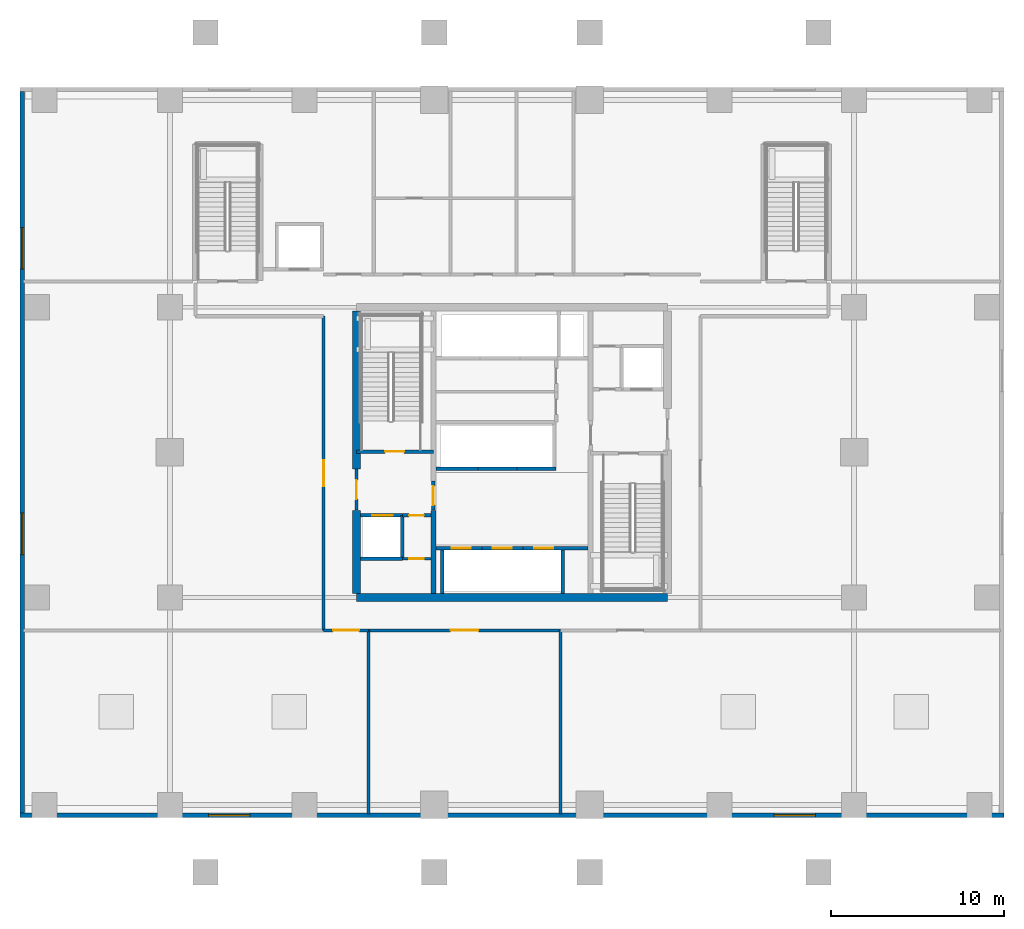
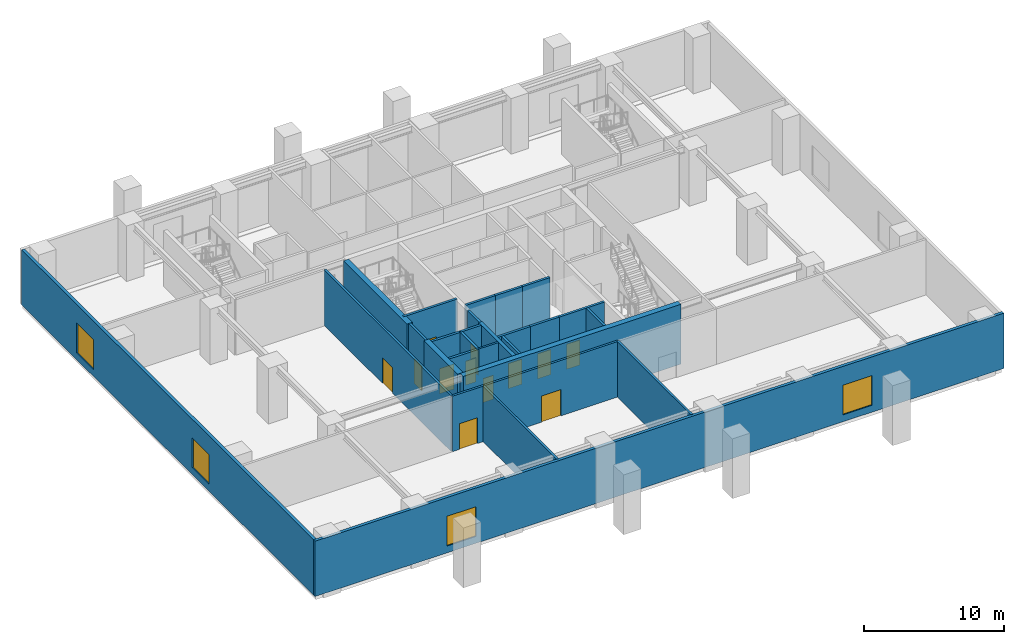
# One storey, part 2 of 12: 27 walls, 12 doors, 4 windows, 16 openings.
"""IFC4 building model written with IfcOpenShell, lengths in metres."""

from ifc_helpers import new_model, si_unit, direction, frame, frame_2d, origin, place, context, subcontext, project, spatial, rectangle, extrude, source, transform, mapped, material, layer, layer_set, type_object, element, fill, save


model = new_model("IFC4")

# Units and contexts
model_context = context("Model", 3, precision=1e-05, world=origin(), true_north=direction((0.0, 1.0)))
body_context = subcontext(model_context, "Body", "Model", "MODEL_VIEW")
ifc_project = project(units=[si_unit("LENGTHUNIT", "METRE"), si_unit("AREAUNIT", "SQUARE_METRE"), si_unit("VOLUMEUNIT", "CUBIC_METRE"), si_unit("PLANEANGLEUNIT", "RADIAN"), si_unit("MASSUNIT", "GRAM", prefix="KILO")], contexts=[model_context])

# Site, building, storey
site_placement = place(None, origin())
site = spatial("IfcSite", under=ifc_project, at=site_placement, CompositionType="ELEMENT")
building_placement = place(site_placement, origin())
building = spatial("IfcBuilding", under=site, at=building_placement, Name="Serunith Strait Residences", CompositionType="ELEMENT")
storey_placement = place(building_placement, frame((0.0, 0.0, 15.300048828125)))
storey = spatial("IfcBuildingStorey", under=building, at=storey_placement, Name="L03", CompositionType="ELEMENT", Elevation=15.300048828125)

# Wall, openings, windows
ifc_material_1 = material(Name="Pale-Silver Aluminium Terracotta-Backed Wall", Category="masonry")
ifc_layer_1 = layer(ifc_material_1, 0.25, Name="Pale-Silver Aluminium Terracotta-Backed Wall")
ifc_layer_set_1 = layer_set([ifc_layer_1], Name="Pale-Silver Aluminium Terracotta-Backed Wall")
wall_type_1 = type_object("IfcWallType", Name="EW-POD-250", PredefinedType="ELEMENTEDWALL", material=ifc_layer_set_1)
wall_1_placement = place(storey_placement, frame((3.925048828125, 4.199951171875, 0.0), z_axis=(0.0, 0.0, 1.0), x_axis=(1.0, 0.0, 0.0)))
wall_1 = element("IfcWall", 1, at=wall_1_placement, inside=storey, type_object=wall_type_1, Name="L03 Podium Envelope Wall 1", PredefinedType="ELEMENTEDWALL", context=body_context, shape_type="SweptSolid", body=[
    extrude(rectangle(XDim=56.949951171875, YDim=0.25, at=frame_2d((28.47509765625, 0.0))), origin(), (0.0, 0.0, 1.0), 4.8349609375),
])
opening_1_placement = place(wall_1_placement, frame((10.909912109375, 0.0, 0.60009765625)))
opening_1 = element("IfcOpeningElement", 2, at=opening_1_placement, cuts=wall_1, Name="Opening W-08", PredefinedType="OPENING", context=body_context, shape_type="SweptSolid", body=[
    extrude(rectangle(XDim=2.39990234375, YDim=2.60009765625, at=frame_2d((1.199951171875, 1.300048828125))), frame((0.0, 0.135009765625, 0.0), z_axis=(0.0, -1.0, 0.0), x_axis=(1.0, 0.0, 0.0)), (0.0, 0.0, 1.0), 0.27001953125),
])
opening_2_placement = place(wall_1_placement, frame((43.639892578125, 0.0, 0.60009765625)))
opening_2 = element("IfcOpeningElement", 3, at=opening_2_placement, cuts=wall_1, Name="Opening W-08", PredefinedType="OPENING", context=body_context, shape_type="SweptSolid", body=[
    extrude(rectangle(XDim=2.39990234375, YDim=2.60009765625, at=frame_2d((1.199951171875, 1.300048828125))), frame((0.0, 0.135009765625, 0.0), z_axis=(0.0, -1.0, 0.0), x_axis=(1.0, 0.0, 0.0)), (0.0, 0.0, 1.0), 0.27001953125),
])
ifc_material_2 = material(Name="Podium Club Operable Window Glass", Category="glass")
window_type = type_object("IfcWindowType", Name="WIN-POD2", PartitioningType="DOUBLE_PANEL_VERTICAL", PredefinedType="WINDOW", material=ifc_material_2)
shared_shape_1 = source(origin(), body_context, "Body", "SweptSolid", [
    extrude(rectangle(XDim=2.39990234375, YDim=2.60009765625, at=frame_2d((1.199951171875, 1.300048828125))), frame((0.0, 0.030029296875, 0.0), z_axis=(0.0, -1.0, 0.0), x_axis=(1.0, 0.0, 0.0)), (0.0, 0.0, 1.0), 0.06005859375),
])
window_1_placement = place(opening_1_placement, origin())
window_1 = element("IfcWindow", 4, at=window_1_placement, inside=storey, type_object=window_type, Name="L03 Podium Window 1A", OverallHeight=2.60009765625, OverallWidth=2.39990234375, PartitioningType="SINGLE_PANEL", PredefinedType="WINDOW", context=body_context, shape_type="MappedRepresentation", body=[
    mapped(shared_shape_1, transform((0.0, 0.0, 0.0), scale=1.0)),
])
fill(opening_1, window_1)
window_2_placement = place(opening_2_placement, origin())
window_2 = element("IfcWindow", 5, at=window_2_placement, inside=storey, type_object=window_type, Name="L03 Podium Window 1B", OverallHeight=2.60009765625, OverallWidth=2.39990234375, PartitioningType="SINGLE_PANEL", PredefinedType="WINDOW", context=body_context, shape_type="MappedRepresentation", body=[
    mapped(shared_shape_1, transform((0.0, 0.0, 0.0), scale=1.0)),
])
fill(opening_2, window_2)

wall_2_placement = place(storey_placement, frame((4.050048828125, 46.074951171875, 0.0), z_axis=(0.0, 0.0, 1.0), x_axis=(0.0, -1.0, 0.0)))
wall_2 = element("IfcWall", 6, at=wall_2_placement, inside=storey, type_object=wall_type_1, Name="L03 Podium Envelope Wall 4", PredefinedType="ELEMENTEDWALL", context=body_context, shape_type="SweptSolid", body=[
    extrude(rectangle(XDim=41.75, YDim=0.25, at=frame_2d((20.875, 0.0))), origin(), (0.0, 0.0, 1.0), 4.8349609375),
])
opening_3_placement = place(wall_2_placement, frame((7.8701171875, 0.0, 0.60009765625)))
opening_3 = element("IfcOpeningElement", 7, at=opening_3_placement, cuts=wall_2, Name="Opening W-08", PredefinedType="OPENING", context=body_context, shape_type="SweptSolid", body=[
    extrude(rectangle(XDim=2.39990234375, YDim=2.60009765625, at=frame_2d((1.199951171875, 1.300048828125))), frame((0.0, 0.135009765625, 0.0), z_axis=(0.0, -1.0, 0.0), x_axis=(1.0, 0.0, 0.0)), (0.0, 0.0, 1.0), 0.27001953125),
])
opening_4_placement = place(wall_2_placement, frame((24.39697265625, 0.0, 0.60009765625)))
opening_4 = element("IfcOpeningElement", 8, at=opening_4_placement, cuts=wall_2, Name="Opening W-08", PredefinedType="OPENING", context=body_context, shape_type="SweptSolid", body=[
    extrude(rectangle(XDim=2.39990234375, YDim=2.60009765625, at=frame_2d((1.199951171875, 1.300048828125))), frame((0.0, 0.135009765625, 0.0), z_axis=(0.0, -1.0, 0.0), x_axis=(1.0, 0.0, 0.0)), (0.0, 0.0, 1.0), 0.27001953125),
])
window_3_placement = place(opening_3_placement, origin())
window_3 = element("IfcWindow", 9, at=window_3_placement, inside=storey, type_object=window_type, Name="L03 Podium Window 4A", OverallHeight=2.60009765625, OverallWidth=2.39990234375, PartitioningType="SINGLE_PANEL", PredefinedType="WINDOW", context=body_context, shape_type="MappedRepresentation", body=[
    mapped(shared_shape_1, transform((0.0, 0.0, 0.0), scale=1.0)),
])
fill(opening_3, window_3)
window_4_placement = place(opening_4_placement, origin())
window_4 = element("IfcWindow", 10, at=window_4_placement, inside=storey, type_object=window_type, Name="L03 Podium Window 4B", OverallHeight=2.60009765625, OverallWidth=2.39990234375, PartitioningType="SINGLE_PANEL", PredefinedType="WINDOW", context=body_context, shape_type="MappedRepresentation", body=[
    mapped(shared_shape_1, transform((0.0, 0.0, 0.0), scale=1.0)),
])
fill(opening_4, window_4)

# Wall, opening, door
ifc_material_3 = material(Name="Fire-rated masonry service closet wall", Category="masonry")
ifc_layer_2 = layer(ifc_material_3, 0.14990234375, Name="Fire-rated masonry service closet wall")
ifc_layer_set_2 = layer_set([ifc_layer_2], Name="Fire-rated masonry service closet wall")
wall_type_2 = type_object("IfcWallType", Name="IW-BOH-150", PredefinedType="PARTITIONING", material=ifc_layer_set_2)
wall_3_placement = place(storey_placement, frame((26.052001953125, 19.050048828125, 0.0), z_axis=(0.0, 0.0, 1.0), x_axis=(1.0, 0.0, 0.0)))
wall_3 = element("IfcWall", 11, at=wall_3_placement, inside=storey, type_object=wall_type_2, Name="L03 Partition Wall 012", PredefinedType="PARTITIONING", context=body_context, shape_type="SweptSolid", body=[
    extrude(rectangle(XDim=1.64794921875, YDim=0.14990234375, at=frame_2d((0.823974609375, 0.0))), origin(), (0.0, 0.0, 1.0), 4.849853515625),
])
opening_5_placement = place(wall_3_placement, frame((0.39892578125, 0.0, 0.0)))
opening_5 = element("IfcOpeningElement", 12, at=opening_5_placement, cuts=wall_3, Name="Opening FD-850", PredefinedType="OPENING", context=body_context, shape_type="SweptSolid", body=[
    extrude(rectangle(XDim=0.85009765625, YDim=2.10009765625, at=frame_2d((0.425048828125, 1.050048828125))), frame((0.0, 0.0849609375, 0.0), z_axis=(0.0, -1.0, 0.0), x_axis=(1.0, 0.0, 0.0)), (0.0, 0.0, 1.0), 0.169921875),
])
ifc_material_4 = material(Name="Powder-coated steel service closet door", Category="steel")
door_type_1 = type_object("IfcDoorType", Name="FD-BOH-850", OperationType="NOTDEFINED", PredefinedType="DOOR", material=ifc_material_4)
shared_shape_2 = source(origin(), body_context, "Body", "SweptSolid", [
    extrude(rectangle(XDim=0.85009765625, YDim=2.10009765625, at=frame_2d((0.425048828125, 1.050048828125))), frame((0.0, 0.02490234375, 0.0), z_axis=(0.0, -1.0, 0.0), x_axis=(1.0, 0.0, 0.0)), (0.0, 0.0, 1.0), 0.050048828125),
])
door_1_placement = place(opening_5_placement, origin())
door_1 = element("IfcDoor", 13, at=door_1_placement, inside=storey, type_object=door_type_1, Name="L03 Water Meter Door", OperationType="SINGLE_SWING_LEFT", OverallHeight=2.10009765625, OverallWidth=0.85009765625, PredefinedType="DOOR", context=body_context, shape_type="MappedRepresentation", body=[
    mapped(shared_shape_2, transform((0.0, 0.0, 0.0), scale=1.0)),
])
fill(opening_5, door_1)

ifc_material_5 = material(Name="Fire-rated acoustic gypsum partition")
ifc_layer_3 = layer(ifc_material_5, 0.179931640625, Name="Fire-rated acoustic gypsum partition")
ifc_layer_set_3 = layer_set([ifc_layer_3], Name="Fire-rated acoustic gypsum partition")
wall_type_3 = type_object("IfcWallType", Name="IW-CORR-180", PredefinedType="PARTITIONING", material=ifc_layer_set_3)
wall_4_placement = place(storey_placement, frame((21.5, 14.89990234375, 0.0), z_axis=(0.0, 0.0, 1.0), x_axis=(0.0, 1.0, 0.0)))
wall_4 = element("IfcWall", 14, at=wall_4_placement, inside=storey, type_object=wall_type_3, Name="L03 Partition Wall 027", PredefinedType="PARTITIONING", context=body_context, shape_type="SweptSolid", body=[
    extrude(rectangle(XDim=18.18017578125, YDim=0.179931640625, at=frame_2d((9.090087890625, 0.0))), origin(), (0.0, 0.0, 1.0), 4.849853515625),
])
opening_6_placement = place(wall_4_placement, frame((8.340087890625, 0.0, 0.0)))
opening_6 = element("IfcOpeningElement", 15, at=opening_6_placement, cuts=wall_4, Name="Opening D-POD1500", PredefinedType="OPENING", context=body_context, shape_type="SweptSolid", body=[
    extrude(rectangle(XDim=1.5, YDim=2.25, at=frame_2d((0.75, 1.125))), frame((0.0, 0.10009765625, 0.0), z_axis=(0.0, -1.0, 0.0), x_axis=(1.0, 0.0, 0.0)), (0.0, 0.0, 1.0), 0.199951171875),
])
ifc_material_6 = material(Name="Pale-champagne aluminium glazed double door", Category="aluminium")
door_type_2 = type_object("IfcDoorType", Name="ID-POD-1500", OperationType="DOUBLE_DOOR_SINGLE_SWING", PredefinedType="DOOR", material=ifc_material_6)
shared_shape_3 = source(origin(), body_context, "Body", "SweptSolid", [
    extrude(rectangle(XDim=1.5, YDim=2.25, at=frame_2d((0.75, 1.125))), frame((0.0, 0.02490234375, 0.0), z_axis=(0.0, -1.0, 0.0), x_axis=(1.0, 0.0, 0.0)), (0.0, 0.0, 1.0), 0.050048828125),
])
door_2_placement = place(opening_6_placement, origin())
door_2 = element("IfcDoor", 16, at=door_2_placement, inside=storey, type_object=door_type_2, Name="L03 West Wing Suite Door", OperationType="DOUBLE_DOOR_SINGLE_SWING", OverallHeight=2.25, OverallWidth=1.5, PredefinedType="DOOR", context=body_context, shape_type="MappedRepresentation", body=[
    mapped(shared_shape_3, transform((0.0, 0.0, 0.0), scale=1.0)),
])
fill(opening_6, door_2)

wall_5_placement = place(storey_placement, frame((21.501953125, 14.89990234375, 0.0), z_axis=(0.0, 0.0, 1.0), x_axis=(1.0, 0.0, 0.0)))
wall_5 = element("IfcWall", 17, at=wall_5_placement, inside=storey, type_object=wall_type_3, Name="L03 Partition Wall 033", PredefinedType="PARTITIONING", context=body_context, shape_type="SweptSolid", body=[
    extrude(rectangle(XDim=2.59814453125, YDim=0.179931640625, at=frame_2d((1.299072265625, 0.0))), origin(), (0.0, 0.0, 1.0), 4.849853515625),
])
opening_7_placement = place(wall_5_placement, frame((0.549072265625, 0.0, 0.0)))
opening_7 = element("IfcOpeningElement", 18, at=opening_7_placement, cuts=wall_5, Name="Opening D-POD1500", PredefinedType="OPENING", context=body_context, shape_type="SweptSolid", body=[
    extrude(rectangle(XDim=1.5, YDim=2.25, at=frame_2d((0.75, 1.125))), frame((0.0, 0.10009765625, 0.0), z_axis=(0.0, -1.0, 0.0), x_axis=(1.0, 0.0, 0.0)), (0.0, 0.0, 1.0), 0.199951171875),
])
door_3_placement = place(opening_7_placement, origin())
door_3 = element("IfcDoor", 19, at=door_3_placement, inside=storey, type_object=door_type_2, Name="L03 South-West Suite Door", OperationType="DOUBLE_DOOR_SINGLE_SWING", OverallHeight=2.25, OverallWidth=1.5, PredefinedType="DOOR", context=body_context, shape_type="MappedRepresentation", body=[
    mapped(shared_shape_3, transform((0.0, 0.0, 0.0), scale=1.0)),
])
fill(opening_7, door_3)

wall_6_placement = place(storey_placement, frame((24.10205078125, 14.89990234375, 0.0), z_axis=(0.0, 0.0, 1.0), x_axis=(1.0, 0.0, 0.0)))
wall_6 = element("IfcWall", 20, at=wall_6_placement, inside=storey, type_object=wall_type_3, Name="L03 Partition Wall 034", PredefinedType="PARTITIONING", context=body_context, shape_type="SweptSolid", body=[
    extrude(rectangle(XDim=11.097900390625, YDim=0.179931640625, at=frame_2d((5.548828125, 0.0))), origin(), (0.0, 0.0, 1.0), 4.849853515625),
])
opening_8_placement = place(wall_6_placement, frame((4.7490234375, 0.0, 0.0)))
opening_8 = element("IfcOpeningElement", 21, at=opening_8_placement, cuts=wall_6, Name="Opening D-POD1600", PredefinedType="OPENING", context=body_context, shape_type="SweptSolid", body=[
    extrude(rectangle(XDim=1.60009765625, YDim=2.300048828125, at=frame_2d((0.800048828125, 1.14990234375))), frame((0.0, 0.10009765625, 0.0), z_axis=(0.0, -1.0, 0.0), x_axis=(1.0, 0.0, 0.0)), (0.0, 0.0, 1.0), 0.199951171875),
])
ifc_material_7 = material(Name="Pale-champagne aluminium glazed concourse door", Category="aluminium")
door_type_3 = type_object("IfcDoorType", Name="ID-POD-1600", OperationType="DOUBLE_DOOR_SINGLE_SWING", PredefinedType="DOOR", material=ifc_material_7)
shared_shape_4 = source(origin(), body_context, "Body", "SweptSolid", [
    extrude(rectangle(XDim=1.60009765625, YDim=2.300048828125, at=frame_2d((0.800048828125, 1.14990234375))), frame((0.0, 0.02490234375, 0.0), z_axis=(0.0, -1.0, 0.0), x_axis=(1.0, 0.0, 0.0)), (0.0, 0.0, 1.0), 0.050048828125),
])
door_4_placement = place(opening_8_placement, origin())
door_4 = element("IfcDoor", 22, at=door_4_placement, inside=storey, type_object=door_type_3, Name="L03 South Central Lounge Door", OperationType="DOUBLE_DOOR_SINGLE_SWING", OverallHeight=2.300048828125, OverallWidth=1.60009765625, PredefinedType="DOOR", context=body_context, shape_type="MappedRepresentation", body=[
    mapped(shared_shape_4, transform((0.0, 0.0, 0.0), scale=1.0)),
])
fill(opening_8, door_4)

# Walls
for number, where, z_axis, x_axis, name in (
    (23, (24.10009765625, 4.281982421875, 0.0), (0.0, 0.0, 1.0), (0.0, 1.0, 0.0), "L03 Partition Wall 041"),
    (24, (35.199951171875, 4.281982421875, 0.0), (0.0, 0.0, 1.0), (0.0, 1.0, 0.0), "L03 Partition Wall 042"),
):
    element("IfcWall", number, at=place(storey_placement, frame(where, z_axis=z_axis, x_axis=x_axis)), inside=storey, type_object=wall_type_3, Name=name, PredefinedType="PARTITIONING", context=body_context, shape_type="SweptSolid", body=[
        extrude(rectangle(XDim=10.617919921875, YDim=0.179931640625, at=frame_2d((5.30908203125, 0.0))), origin(), (0.0, 0.0, 1.0), 4.849853515625),
    ])

# Wall, opening, door
ifc_material_8 = material(Name="Autoclaved aerated concrete blockwork", Category="masonry")
ifc_layer_4 = layer(ifc_material_8, 0.199951171875, Name="Autoclaved aerated concrete blockwork")
ifc_layer_set_4 = layer_set([ifc_layer_4], Name="Autoclaved aerated concrete blockwork")
wall_type_4 = type_object("IfcWallType", Name="IW-SHAFT-200", PredefinedType="STANDARD", material=ifc_layer_set_4)
wall_7_placement = place(storey_placement, frame((23.39990234375, 25.25, 0.0), z_axis=(0.0, 0.0, 1.0), x_axis=(1.0, 0.0, 0.0)))
wall_7 = element("IfcWall", 25, at=wall_7_placement, inside=storey, type_object=wall_type_4, Name="L03 ST-1 South Shaft Wall", PredefinedType="STANDARD", context=body_context, shape_type="SweptSolid", body=[
    extrude(rectangle(XDim=4.4501953125, YDim=0.199951171875, at=frame_2d((2.22509765625, 0.0))), origin(), (0.0, 0.0, 1.0), 4.849853515625),
])
opening_9_placement = place(wall_7_placement, frame((1.64990234375, 0.0, 0.0)))
opening_9 = element("IfcOpeningElement", 26, at=opening_9_placement, cuts=wall_7, Name="Opening FD-1100", PredefinedType="OPENING", context=body_context, shape_type="SweptSolid", body=[
    extrude(rectangle(XDim=1.10009765625, YDim=2.14990234375, at=frame_2d((0.550048828125, 1.074951171875))), frame((0.0, 0.10986328125, 0.0), z_axis=(0.0, -1.0, 0.0), x_axis=(1.0, 0.0, 0.0)), (0.0, 0.0, 1.0), 0.219970703125),
])
ifc_material_9 = material(Name="Galvanised steel fire door leaf", Category="steel")
door_type_4 = type_object("IfcDoorType", Name="FD-STAIR-1100", OperationType="NOTDEFINED", PredefinedType="DOOR", material=ifc_material_9)
shared_shape_5 = source(origin(), body_context, "Body", "SweptSolid", [
    extrude(rectangle(XDim=1.10009765625, YDim=2.14990234375, at=frame_2d((0.550048828125, 1.074951171875))), frame((0.0, 0.02490234375, 0.0), z_axis=(0.0, -1.0, 0.0), x_axis=(1.0, 0.0, 0.0)), (0.0, 0.0, 1.0), 0.050048828125),
])
door_5_placement = place(opening_9_placement, origin())
door_5 = element("IfcDoor", 27, at=door_5_placement, inside=storey, type_object=door_type_4, Name="L03 ST-1 Escape Stair Door", OperationType="SINGLE_SWING_LEFT", OverallHeight=2.14990234375, OverallWidth=1.10009765625, PredefinedType="DOOR", context=body_context, shape_type="MappedRepresentation", body=[
    mapped(shared_shape_5, transform((0.0, 0.0, 0.0), scale=1.0)),
])
fill(opening_9, door_5)

wall_8_placement = place(storey_placement, frame((23.625, 21.550048828125, 0.0), z_axis=(0.0, 0.0, 1.0), x_axis=(1.0, 0.0, 0.0)))
wall_8 = element("IfcWall", 28, at=wall_8_placement, inside=storey, type_object=wall_type_4, Name="L03 FL-1 North Shaft Wall", PredefinedType="STANDARD", context=body_context, shape_type="SweptSolid", body=[
    extrude(rectangle(XDim=2.425048828125, YDim=0.199951171875, at=frame_2d((1.21240234375, 0.0))), origin(), (0.0, 0.0, 1.0), 4.849853515625),
])
opening_10_placement = place(wall_8_placement, frame((0.675048828125, 0.0, 0.0)))
opening_10 = element("IfcOpeningElement", 29, at=opening_10_placement, cuts=wall_8, Name="Opening LD-FF1200", PredefinedType="OPENING", context=body_context, shape_type="SweptSolid", body=[
    extrude(rectangle(XDim=1.199951171875, YDim=2.199951171875, at=frame_2d((0.60009765625, 1.10009765625))), frame((0.0, 0.10986328125, 0.0), z_axis=(0.0, -1.0, 0.0), x_axis=(1.0, 0.0, 0.0)), (0.0, 0.0, 1.0), 0.219970703125),
])
ifc_material_10 = material(Name="Brushed stainless steel landing door", Category="steel")
door_type_5 = type_object("IfcDoorType", Name="LD-FF-1200", OperationType="DOUBLE_DOOR_SLIDING", PredefinedType="DOOR", material=ifc_material_10)
shared_shape_6 = source(origin(), body_context, "Body", "SweptSolid", [
    extrude(rectangle(XDim=1.199951171875, YDim=2.199951171875, at=frame_2d((0.60009765625, 1.10009765625))), frame((0.0, 0.02490234375, 0.0), z_axis=(0.0, -1.0, 0.0), x_axis=(1.0, 0.0, 0.0)), (0.0, 0.0, 1.0), 0.050048828125),
])
door_6_placement = place(opening_10_placement, origin())
door_6 = element("IfcDoor", 30, at=door_6_placement, inside=storey, type_object=door_type_5, Name="L03 FL-1 Landing Door", OperationType="DOUBLE_DOOR_SLIDING", OverallHeight=2.199951171875, OverallWidth=1.199951171875, PredefinedType="DOOR", context=body_context, shape_type="MappedRepresentation", body=[
    mapped(shared_shape_6, transform((0.0, 0.0, 0.0), scale=1.0)),
])
fill(opening_10, door_6)

wall_9_placement = place(storey_placement, frame((28.0, 19.64990234375, 0.0), z_axis=(0.0, 0.0, 1.0), x_axis=(1.0, 0.0, 0.0)))
wall_9 = element("IfcWall", 31, at=wall_9_placement, inside=storey, type_object=wall_type_4, Name="L03 PL-1 North Shaft Wall", PredefinedType="STANDARD", context=body_context, shape_type="SweptSolid", body=[
    extrude(rectangle(XDim=2.64990234375, YDim=0.199951171875, at=frame_2d((1.324951171875, 0.0))), origin(), (0.0, 0.0, 1.0), 4.849853515625),
])
opening_11_placement = place(wall_9_placement, frame((0.89990234375, 0.0, 0.0)))
opening_11 = element("IfcOpeningElement", 32, at=opening_11_placement, cuts=wall_9, Name="Opening LD-1100", PredefinedType="OPENING", context=body_context, shape_type="SweptSolid", body=[
    extrude(rectangle(XDim=1.10009765625, YDim=2.199951171875, at=frame_2d((0.550048828125, 1.10009765625))), frame((0.0, 0.10986328125, 0.0), z_axis=(0.0, -1.0, 0.0), x_axis=(1.0, 0.0, 0.0)), (0.0, 0.0, 1.0), 0.219970703125),
])
ifc_material_11 = material(Name="Pale-champagne stainless landing door")
door_type_6 = type_object("IfcDoorType", Name="LD-LIFT-1100", OperationType="DOUBLE_DOOR_SLIDING", PredefinedType="DOOR", material=ifc_material_11)
shared_shape_7 = source(origin(), body_context, "Body", "SweptSolid", [
    extrude(rectangle(XDim=1.10009765625, YDim=2.199951171875, at=frame_2d((0.550048828125, 1.10009765625))), frame((0.0, 0.02490234375, 0.0), z_axis=(0.0, -1.0, 0.0), x_axis=(1.0, 0.0, 0.0)), (0.0, 0.0, 1.0), 0.050048828125),
])
door_7_placement = place(opening_11_placement, origin())
door_7 = element("IfcDoor", 33, at=door_7_placement, inside=storey, type_object=door_type_6, Name="L03 PL-1 Landing Door", OperationType="DOUBLE_DOOR_SLIDING", OverallHeight=2.199951171875, OverallWidth=1.10009765625, PredefinedType="DOOR", context=body_context, shape_type="MappedRepresentation", body=[
    mapped(shared_shape_7, transform((0.0, 0.0, 0.0), scale=1.0)),
])
fill(opening_11, door_7)

# Wall
wall_10_placement = place(storey_placement, frame((28.35009765625, 17.02490234375, 0.0), z_axis=(0.0, 0.0, 1.0), x_axis=(0.0, 1.0, 0.0)))
element("IfcWall", 34, at=wall_10_placement, inside=storey, type_object=wall_type_4, Name="L03 PL-1 West Shaft Wall", PredefinedType="STANDARD", context=body_context, shape_type="SweptSolid", body=[
    extrude(rectangle(XDim=2.525146484375, YDim=0.199951171875, at=frame_2d((1.2626953125, 0.0))), origin(), (0.0, 0.0, 1.0), 4.849853515625),
])

# Wall, opening, door
wall_11_placement = place(storey_placement, frame((30.64990234375, 19.64990234375, 0.0), z_axis=(0.0, 0.0, 1.0), x_axis=(1.0, 0.0, 0.0)))
wall_11 = element("IfcWall", 35, at=wall_11_placement, inside=storey, type_object=wall_type_4, Name="L03 PL-2 North Shaft Wall", PredefinedType="STANDARD", context=body_context, shape_type="SweptSolid", body=[
    extrude(rectangle(XDim=2.400146484375, YDim=0.199951171875, at=frame_2d((1.2001953125, 0.0))), origin(), (0.0, 0.0, 1.0), 4.849853515625),
])
opening_12_placement = place(wall_11_placement, frame((0.64990234375, 0.0, 0.0)))
opening_12 = element("IfcOpeningElement", 36, at=opening_12_placement, cuts=wall_11, Name="Opening LD-1100", PredefinedType="OPENING", context=body_context, shape_type="SweptSolid", body=[
    extrude(rectangle(XDim=1.10009765625, YDim=2.199951171875, at=frame_2d((0.550048828125, 1.10009765625))), frame((0.0, 0.10986328125, 0.0), z_axis=(0.0, -1.0, 0.0), x_axis=(1.0, 0.0, 0.0)), (0.0, 0.0, 1.0), 0.219970703125),
])
door_8_placement = place(opening_12_placement, origin())
door_8 = element("IfcDoor", 37, at=door_8_placement, inside=storey, type_object=door_type_6, Name="L03 PL-2 Landing Door", OperationType="DOUBLE_DOOR_SLIDING", OverallHeight=2.199951171875, OverallWidth=1.10009765625, PredefinedType="DOOR", context=body_context, shape_type="MappedRepresentation", body=[
    mapped(shared_shape_7, transform((0.0, 0.0, 0.0), scale=1.0)),
])
fill(opening_12, door_8)

wall_12_placement = place(storey_placement, frame((33.050048828125, 19.64990234375, 0.0), z_axis=(0.0, 0.0, 1.0), x_axis=(1.0, 0.0, 0.0)))
wall_12 = element("IfcWall", 38, at=wall_12_placement, inside=storey, type_object=wall_type_4, Name="L03 PL-3 North Shaft Wall", PredefinedType="STANDARD", context=body_context, shape_type="SweptSolid", body=[
    extrude(rectangle(XDim=3.75, YDim=0.199951171875, at=frame_2d((1.875, 0.0))), origin(), (0.0, 0.0, 1.0), 4.849853515625),
])
opening_13_placement = place(wall_12_placement, frame((0.64990234375, 0.0, 0.0)))
opening_13 = element("IfcOpeningElement", 39, at=opening_13_placement, cuts=wall_12, Name="Opening LD-1100", PredefinedType="OPENING", context=body_context, shape_type="SweptSolid", body=[
    extrude(rectangle(XDim=1.10009765625, YDim=2.199951171875, at=frame_2d((0.550048828125, 1.10009765625))), frame((0.0, 0.10986328125, 0.0), z_axis=(0.0, -1.0, 0.0), x_axis=(1.0, 0.0, 0.0)), (0.0, 0.0, 1.0), 0.219970703125),
])
door_9_placement = place(opening_13_placement, origin())
door_9 = element("IfcDoor", 40, at=door_9_placement, inside=storey, type_object=door_type_6, Name="L03 PL-3 Landing Door", OperationType="DOUBLE_DOOR_SLIDING", OverallHeight=2.199951171875, OverallWidth=1.10009765625, PredefinedType="DOOR", context=body_context, shape_type="MappedRepresentation", body=[
    mapped(shared_shape_7, transform((0.0, 0.0, 0.0), scale=1.0)),
])
fill(opening_13, door_9)

# Walls
wall_13_placement = place(storey_placement, frame((35.35009765625, 17.02490234375, 0.0), z_axis=(0.0, 0.0, 1.0), x_axis=(0.0, 1.0, 0.0)))
element("IfcWall", 41, at=wall_13_placement, inside=storey, type_object=wall_type_4, Name="L03 PL-3 East Shaft Wall", PredefinedType="STANDARD", context=body_context, shape_type="SweptSolid", body=[
    extrude(rectangle(XDim=2.525146484375, YDim=0.199951171875, at=frame_2d((1.2626953125, 0.0))), origin(), (0.0, 0.0, 1.0), 4.849853515625),
])
wall_14_placement = place(storey_placement, frame((28.0, 24.25, 0.0), z_axis=(0.0, 0.0, 1.0), x_axis=(1.0, 0.0, 0.0)))
element("IfcWall", 42, at=wall_14_placement, inside=storey, type_object=wall_type_4, Name="L03 PL-4 South Shaft Wall", PredefinedType="STANDARD", context=body_context, shape_type="SweptSolid", body=[
    extrude(rectangle(XDim=2.425048828125, YDim=0.199951171875, at=frame_2d((1.21240234375, 0.0))), origin(), (0.0, 0.0, 1.0), 4.849853515625),
])
wall_15_placement = place(storey_placement, frame((30.425048828125, 24.25, 0.0), z_axis=(0.0, 0.0, 1.0), x_axis=(1.0, 0.0, 0.0)))
element("IfcWall", 43, at=wall_15_placement, inside=storey, type_object=wall_type_4, Name="L03 PL-5 South Shaft Wall", PredefinedType="STANDARD", context=body_context, shape_type="SweptSolid", body=[
    extrude(rectangle(XDim=2.25, YDim=0.199951171875, at=frame_2d((1.125, 0.0))), origin(), (0.0, 0.0, 1.0), 4.849853515625),
])
wall_16_placement = place(storey_placement, frame((32.675048828125, 24.25, 0.0), z_axis=(0.0, 0.0, 1.0), x_axis=(1.0, 0.0, 0.0)))
element("IfcWall", 44, at=wall_16_placement, inside=storey, type_object=wall_type_4, Name="L03 PL-6 South Shaft Wall", PredefinedType="STANDARD", context=body_context, shape_type="SweptSolid", body=[
    extrude(rectangle(XDim=2.27490234375, YDim=0.199951171875, at=frame_2d((1.137451171875, 0.0))), origin(), (0.0, 0.0, 1.0), 4.849853515625),
])
wall_17_placement = place(storey_placement, frame((26.050048828125, 19.050048828125, 0.0), z_axis=(0.0, 0.0, 1.0), x_axis=(0.0, 1.0, 0.0)))
element("IfcWall", 45, at=wall_17_placement, inside=storey, type_object=wall_type_4, Name="L03 Partition Wall 001", PredefinedType="STANDARD", context=body_context, shape_type="SweptSolid", body=[
    extrude(rectangle(XDim=2.5, YDim=0.199951171875, at=frame_2d((1.25, 0.0))), origin(), (0.0, 0.0, 1.0), 4.849853515625),
])
wall_18_placement = place(storey_placement, frame((23.625, 19.050048828125, 0.0), z_axis=(0.0, 0.0, 1.0), x_axis=(1.0, 0.0, 0.0)))
element("IfcWall", 46, at=wall_18_placement, inside=storey, type_object=wall_type_4, Name="L03 Partition Wall 002", PredefinedType="STANDARD", context=body_context, shape_type="SweptSolid", body=[
    extrude(rectangle(XDim=2.425048828125, YDim=0.199951171875, at=frame_2d((1.21240234375, 0.0))), origin(), (0.0, 0.0, 1.0), 4.849853515625),
])

# Wall, opening, door
wall_19_placement = place(storey_placement, frame((26.052001953125, 21.550048828125, 0.0), z_axis=(0.0, 0.0, 1.0), x_axis=(1.0, 0.0, 0.0)))
wall_19 = element("IfcWall", 47, at=wall_19_placement, inside=storey, type_object=wall_type_4, Name="L03 Partition Wall 003", PredefinedType="STANDARD", context=body_context, shape_type="SweptSolid", body=[
    extrude(rectangle(XDim=1.64794921875, YDim=0.199951171875, at=frame_2d((0.823974609375, 0.0))), origin(), (0.0, 0.0, 1.0), 4.849853515625),
])
opening_14_placement = place(wall_19_placement, frame((0.39892578125, 0.0, 0.0)))
opening_14 = element("IfcOpeningElement", 48, at=opening_14_placement, cuts=wall_19, Name="Opening FD-850", PredefinedType="OPENING", context=body_context, shape_type="SweptSolid", body=[
    extrude(rectangle(XDim=0.85009765625, YDim=2.10009765625, at=frame_2d((0.425048828125, 1.050048828125))), frame((0.0, 0.10986328125, 0.0), z_axis=(0.0, -1.0, 0.0), x_axis=(1.0, 0.0, 0.0)), (0.0, 0.0, 1.0), 0.219970703125),
])
door_10_placement = place(opening_14_placement, origin())
door_10 = element("IfcDoor", 49, at=door_10_placement, inside=storey, type_object=door_type_1, Name="L03 South-West Core Service Door", OperationType="SINGLE_SWING_LEFT", OverallHeight=2.10009765625, OverallWidth=0.85009765625, PredefinedType="DOOR", context=body_context, shape_type="MappedRepresentation", body=[
    mapped(shared_shape_2, transform((0.0, 0.0, 0.0), scale=1.0)),
])
fill(opening_14, door_10)

wall_20_placement = place(storey_placement, frame((23.39990234375, 21.85205078125, 0.0), z_axis=(0.0, 0.0, 1.0), x_axis=(0.0, 1.0, 0.0)))
wall_20 = element("IfcWall", 50, at=wall_20_placement, inside=storey, type_object=wall_type_4, Name="L03 Partition Wall 007", PredefinedType="STANDARD", context=body_context, shape_type="SweptSolid", body=[
    extrude(rectangle(XDim=2.39599609375, YDim=0.199951171875, at=frame_2d((1.197998046875, 0.0))), origin(), (0.0, 0.0, 1.0), 4.849853515625),
])
opening_15_placement = place(wall_20_placement, frame((0.64794921875, 0.0, 0.0)))
opening_15 = element("IfcOpeningElement", 51, at=opening_15_placement, cuts=wall_20, Name="Opening FD-FFL", PredefinedType="OPENING", context=body_context, shape_type="SweptSolid", body=[
    extrude(rectangle(XDim=1.10009765625, YDim=2.14990234375, at=frame_2d((0.550048828125, 1.074951171875))), frame((0.0, 0.10986328125, 0.0), z_axis=(0.0, -1.0, 0.0), x_axis=(1.0, 0.0, 0.0)), (0.0, 0.0, 1.0), 0.219970703125),
])
ifc_material_12 = material(Name="Glazed steel smoke-lobby fire door", Category="steel")
door_type_7 = type_object("IfcDoorType", Name="FD-FFL-1100", OperationType="NOTDEFINED", PredefinedType="DOOR", material=ifc_material_12)
door_11_placement = place(opening_15_placement, origin())
door_11 = element("IfcDoor", 52, at=door_11_placement, inside=storey, type_object=door_type_7, Name="L03 FFL-1 Corridor Fire Door", OperationType="SINGLE_SWING_LEFT", OverallHeight=2.14990234375, OverallWidth=1.10009765625, PredefinedType="DOOR", context=body_context, shape_type="MappedRepresentation", body=[
    mapped(shared_shape_5, transform((0.0, 0.0, 0.0), scale=1.0)),
])
fill(opening_15, door_11)

wall_21_placement = place(storey_placement, frame((27.85009765625, 21.85205078125, 0.0), z_axis=(0.0, 0.0, 1.0), x_axis=(0.0, 1.0, 0.0)))
wall_21 = element("IfcWall", 53, at=wall_21_placement, inside=storey, type_object=wall_type_4, Name="L03 Partition Wall 009", PredefinedType="STANDARD", context=body_context, shape_type="SweptSolid", body=[
    extrude(rectangle(XDim=1.696044921875, YDim=0.199951171875, at=frame_2d((0.84814453125, 0.0))), origin(), (0.0, 0.0, 1.0), 4.849853515625),
])
opening_16_placement = place(wall_21_placement, frame((0.298095703125, 0.0, 0.0)))
opening_16 = element("IfcOpeningElement", 54, at=opening_16_placement, cuts=wall_21, Name="Opening FD-FFL", PredefinedType="OPENING", context=body_context, shape_type="SweptSolid", body=[
    extrude(rectangle(XDim=1.10009765625, YDim=2.14990234375, at=frame_2d((0.550048828125, 1.074951171875))), frame((0.0, 0.10986328125, 0.0), z_axis=(0.0, -1.0, 0.0), x_axis=(1.0, 0.0, 0.0)), (0.0, 0.0, 1.0), 0.219970703125),
])
door_12_placement = place(opening_16_placement, origin())
door_12 = element("IfcDoor", 55, at=door_12_placement, inside=storey, type_object=door_type_7, Name="L03 FFL-1 Lift Lobby Door", OperationType="SINGLE_SWING_LEFT", OverallHeight=2.14990234375, OverallWidth=1.10009765625, PredefinedType="DOOR", context=body_context, shape_type="MappedRepresentation", body=[
    mapped(shared_shape_5, transform((0.0, 0.0, 0.0), scale=1.0)),
])
fill(opening_16, door_12)

# Walls
ifc_material_13 = material(Name="Concrete C80/95", Category="concrete")
ifc_layer_5 = layer(ifc_material_13, 0.300048828125, Name="Concrete C80/95")
ifc_layer_set_5 = layer_set([ifc_layer_5], Name="Concrete C80/95")
wall_type_5 = type_object("IfcWallType", Name="SW-300-C80", PredefinedType="SHEAR", material=ifc_layer_set_5)
wall_22_placement = place(storey_placement, frame((27.85009765625, 17.02490234375, -0.380126953125), z_axis=(0.0, 0.0, 1.0), x_axis=(0.0, 1.0, 0.0)))
element("IfcWall", 56, at=wall_22_placement, inside=storey, type_object=wall_type_5, Name="L03 Core Internal West Web South Pier", PredefinedType="SHEAR", context=body_context, shape_type="SweptSolid", body=[
    extrude(rectangle(XDim=4.8251953125, YDim=0.300048828125, at=frame_2d((2.41259765625, 0.0))), origin(), (0.0, 0.0, 1.0), 5.22802734375),
])
ifc_layer_6 = layer(ifc_material_13, 0.449951171875, Name="Concrete C80/95")
ifc_layer_set_6 = layer_set([ifc_layer_6], Name="Concrete C80/95")
wall_type_6 = type_object("IfcWallType", Name="SW-450-C80", PredefinedType="SHEAR", material=ifc_layer_set_6)
wall_23_placement = place(storey_placement, frame((23.39990234375, 16.800048828125, -0.380126953125), z_axis=(0.0, 0.0, 1.0), x_axis=(1.0, 0.0, 0.0)))
element("IfcWall", 57, at=wall_23_placement, inside=storey, type_object=wall_type_6, Name="L03 Core South Shear Wall", PredefinedType="SHEAR", context=body_context, shape_type="SweptSolid", body=[
    extrude(rectangle(XDim=18.0, YDim=0.449951171875, at=frame_2d((9.0, 0.0))), origin(), (0.0, 0.0, 1.0), 5.22802734375),
])
wall_24_placement = place(storey_placement, frame((23.39990234375, 17.02490234375, -0.380126953125), z_axis=(0.0, 0.0, 1.0), x_axis=(0.0, 1.0, 0.0)))
element("IfcWall", 58, at=wall_24_placement, inside=storey, type_object=wall_type_6, Name="L03 Core West Shear Wall South Pier", PredefinedType="SHEAR", context=body_context, shape_type="SweptSolid", body=[
    extrude(rectangle(XDim=4.8251953125, YDim=0.449951171875, at=frame_2d((2.41259765625, 0.0))), origin(), (0.0, 0.0, 1.0), 5.22802734375),
])
wall_25_placement = place(storey_placement, frame((23.39990234375, 24.25, -0.380126953125), z_axis=(0.0, 0.0, 1.0), x_axis=(0.0, 1.0, 0.0)))
element("IfcWall", 59, at=wall_25_placement, inside=storey, type_object=wall_type_6, Name="L03 Core West Shear Wall North Pier", PredefinedType="SHEAR", context=body_context, shape_type="SweptSolid", body=[
    extrude(rectangle(XDim=9.125, YDim=0.449951171875, at=frame_2d((4.5625, 0.0))), origin(), (0.0, 0.0, 1.0), 5.22802734375),
])

save(model, "model.ifc")
